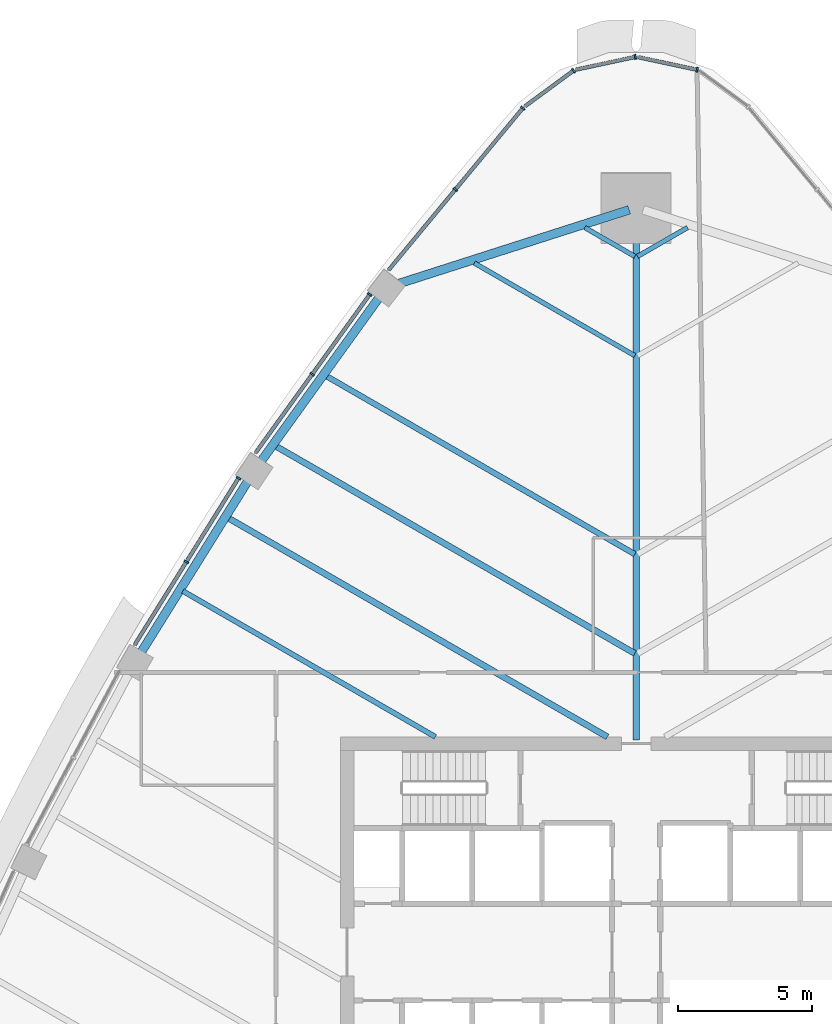
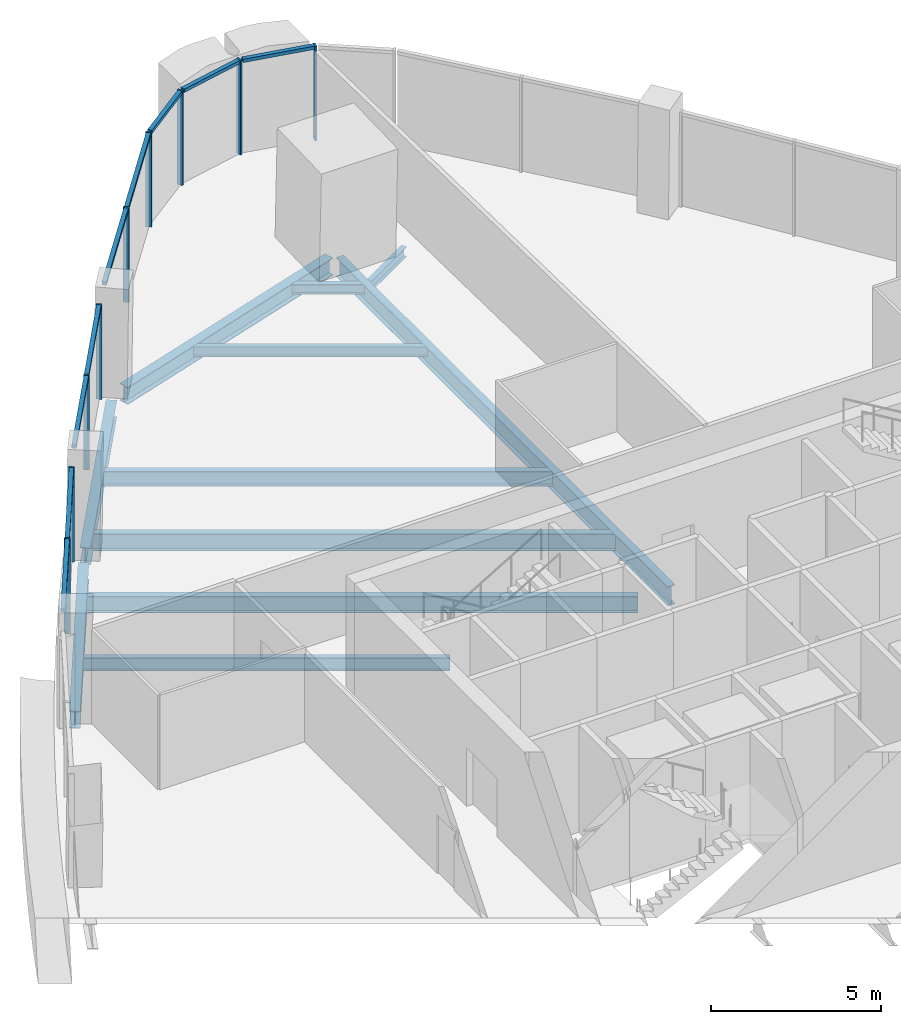
# One storey, part 6 of 16: 18 members, 11 beams, 6 elements without a shape of their own.
"""IFC4 building model written with IfcOpenShell, lengths in metres."""

from ifc_helpers import new_model, si_unit, direction, frame, origin, origin_2d, place, context, subcontext, project, spatial, rectangle, i_section, extrude, material, layer, layer_set, material_profile, profile_set, type_object, element, aggregate, save


model = new_model("IFC4")

# Units and contexts
model_context = context("Model", 3, precision=1e-05, world=origin(), true_north=direction((0.0, 1.0)))
body_context = subcontext(model_context, "Body", "Model", "MODEL_VIEW")
ifc_project = project(units=[si_unit("LENGTHUNIT", "METRE"), si_unit("AREAUNIT", "SQUARE_METRE"), si_unit("VOLUMEUNIT", "CUBIC_METRE"), si_unit("PLANEANGLEUNIT", "RADIAN"), si_unit("MASSUNIT", "GRAM", prefix="KILO")], contexts=[model_context])

# Site, building, storey
site_placement = place(None, origin())
site = spatial("IfcSite", under=ifc_project, at=site_placement, CompositionType="ELEMENT")
building_placement = place(site_placement, origin())
building = spatial("IfcBuilding", under=site, at=building_placement, Name="Sierra Prisma Convention Tower", CompositionType="ELEMENT")
storey_placement = place(building_placement, frame((0.0, 0.0, 165.800048828125)))
storey = spatial("IfcBuildingStorey", under=building, at=storey_placement, Name="L36", CompositionType="ELEMENT", Elevation=165.800048828125)

# Curtain wall, member
ifc_material_1 = material(Name="Aluminium and glass curtain wall", Category="aluminium")
ifc_layer = layer(ifc_material_1, 0.179931640625)
ifc_layer_set = layer_set([ifc_layer], Name="CW-1 Plain shaft curtain wall")
curtain_wall_type = type_object("IfcCurtainWallType", Name="CW-1 Plain shaft curtain wall", PredefinedType="NOTDEFINED", material=ifc_layer_set)
curtain_wall_1_placement = place(storey_placement, origin())
curtain_wall_1 = element("IfcCurtainWall", 1, at=curtain_wall_1_placement, inside=storey, type_object=curtain_wall_type, Name="CW-1 N2 L36", PredefinedType="NOTDEFINED")
ifc_material_2 = material(Name="Aluminium 6063-T6 bronze anodised", Category="aluminium")
ifc_material_profile_1 = material_profile(ifc_material_2, rectangle(XDim=0.179931640625, YDim=0.070068359375, at=origin_2d()), Name="ALU MULLION 70x180")
ifc_profile_set_1 = profile_set([ifc_material_profile_1], Name="Aluminium 6063-T6 bronze anodised")
member_type_1 = type_object("IfcMemberType", Name="CW mullion bronze", PredefinedType="MULLION", material=ifc_profile_set_1)
member_1_placement = place(storey_placement, frame((2.26513671875, 32.801513671875, 0.0), z_axis=(0.0, 0.0, 1.0), x_axis=(-0.209689722292, -0.977767978799, 0.0)))
member_1 = element("IfcMember", 2, at=member_1_placement, type_object=member_type_1, Name="CW-1 mullion N2.1", PredefinedType="MULLION", context=body_context, shape_type="SweptSolid", body=[
    extrude(rectangle(XDim=0.179931640625, YDim=0.070068359375, at=origin_2d()), origin(), (0.0, 0.0, 1.0), 3.39990234375),
])

curtain_wall_2_placement = place(storey_placement, origin())
curtain_wall_2 = element("IfcCurtainWall", 3, at=curtain_wall_2_placement, inside=storey, type_object=curtain_wall_type, Name="CW-1 N3 L36", PredefinedType="NOTDEFINED")
member_2_placement = place(storey_placement, frame((-0.0341796875, 33.27978515625, 0.0), z_axis=(0.0, 0.0, 1.0), x_axis=(0.209689722292, -0.977767978799, 0.0)))
member_2 = element("IfcMember", 4, at=member_2_placement, type_object=member_type_1, Name="CW-1 mullion N3.1", PredefinedType="MULLION", context=body_context, shape_type="SweptSolid", body=[
    extrude(rectangle(XDim=0.179931640625, YDim=0.070068359375, at=origin_2d()), origin(), (0.0, 0.0, 1.0), 3.39990234375),
])

curtain_wall_3_placement = place(storey_placement, origin())
curtain_wall_3 = element("IfcCurtainWall", 5, at=curtain_wall_3_placement, inside=storey, type_object=curtain_wall_type, Name="CW-1 N4 L36", PredefinedType="NOTDEFINED")
member_3_placement = place(storey_placement, frame((-2.327392578125, 32.7734375, 0.0), z_axis=(0.0, 0.0, 1.0), x_axis=(0.59218912334, -0.805799008561, 0.0)))
member_3 = element("IfcMember", 6, at=member_3_placement, type_object=member_type_1, Name="CW-1 mullion N4.1", PredefinedType="MULLION", context=body_context, shape_type="SweptSolid", body=[
    extrude(rectangle(XDim=0.179931640625, YDim=0.070068359375, at=origin_2d()), origin(), (0.0, 0.0, 1.0), 3.39990234375),
])

# Curtain wall, members
curtain_wall_4_placement = place(storey_placement, origin())
curtain_wall_4 = element("IfcCurtainWall", 7, at=curtain_wall_4_placement, inside=storey, type_object=curtain_wall_type, Name="CW-1 NW1 L36", PredefinedType="NOTDEFINED")
member_4_placement = place(storey_placement, frame((-4.21630859375, 31.37451171875, 0.0), z_axis=(0.0, 0.0, 1.0), x_axis=(0.769925871873, -0.63813333389, 0.0)))
member_4 = element("IfcMember", 8, at=member_4_placement, type_object=member_type_1, Name="CW-1 mullion NW1.1", PredefinedType="MULLION", context=body_context, shape_type="SweptSolid", body=[
    extrude(rectangle(XDim=0.179931640625, YDim=0.070068359375, at=origin_2d()), origin(), (0.0, 0.0, 1.0), 3.39990234375),
])
member_5_placement = place(storey_placement, frame((-6.7216796875, 28.35205078125, 0.0), z_axis=(0.0, 0.0, 1.0), x_axis=(0.769925871873, -0.63813333389, 0.0)))
member_5 = element("IfcMember", 9, at=member_5_placement, type_object=member_type_1, Name="CW-1 mullion NW1.2", PredefinedType="MULLION", context=body_context, shape_type="SweptSolid", body=[
    extrude(rectangle(XDim=0.179931640625, YDim=0.070068359375, at=origin_2d()), origin(), (0.0, 0.0, 1.0), 3.39990234375),
])

curtain_wall_5_placement = place(storey_placement, origin())
curtain_wall_5 = element("IfcCurtainWall", 10, at=curtain_wall_5_placement, inside=storey, type_object=curtain_wall_type, Name="CW-1 NW2 L36", PredefinedType="NOTDEFINED")
member_6_placement = place(storey_placement, frame((-9.9072265625, 24.447509765625, 0.0), z_axis=(0.0, 0.0, 1.0), x_axis=(0.811148953093, -0.584839615532, 0.0)))
member_6 = element("IfcMember", 11, at=member_6_placement, type_object=member_type_1, Name="CW-1 mullion NW2.1", PredefinedType="MULLION", context=body_context, shape_type="SweptSolid", body=[
    extrude(rectangle(XDim=0.179931640625, YDim=0.070068359375, at=origin_2d()), origin(), (0.0, 0.0, 1.0), 3.39990234375),
])
member_7_placement = place(storey_placement, frame((-12.043701171875, 21.48388671875, 0.0), z_axis=(0.0, 0.0, 1.0), x_axis=(0.811148953093, -0.584839615532, 0.0)))
member_7 = element("IfcMember", 12, at=member_7_placement, type_object=member_type_1, Name="CW-1 mullion NW2.2", PredefinedType="MULLION", context=body_context, shape_type="SweptSolid", body=[
    extrude(rectangle(XDim=0.179931640625, YDim=0.070068359375, at=origin_2d()), origin(), (0.0, 0.0, 1.0), 3.39990234375),
])

curtain_wall_6_placement = place(storey_placement, origin())
curtain_wall_6 = element("IfcCurtainWall", 13, at=curtain_wall_6_placement, inside=storey, type_object=curtain_wall_type, Name="CW-1 NW3 L36", PredefinedType="NOTDEFINED")
member_8_placement = place(storey_placement, frame((-14.782958984375, 17.621826171875, 0.0), z_axis=(0.0, 0.0, 1.0), x_axis=(0.848689772676, -0.528890980973, 0.0)))
member_8 = element("IfcMember", 14, at=member_8_placement, type_object=member_type_1, Name="CW-1 mullion NW3.1", PredefinedType="MULLION", context=body_context, shape_type="SweptSolid", body=[
    extrude(rectangle(XDim=0.179931640625, YDim=0.070068359375, at=origin_2d()), origin(), (0.0, 0.0, 1.0), 3.39990234375),
])
member_9_placement = place(storey_placement, frame((-16.7236328125, 14.507568359375, 0.0), z_axis=(0.0, 0.0, 1.0), x_axis=(0.848689772676, -0.528890980973, 0.0)))
member_9 = element("IfcMember", 15, at=member_9_placement, type_object=member_type_1, Name="CW-1 mullion NW3.2", PredefinedType="MULLION", context=body_context, shape_type="SweptSolid", body=[
    extrude(rectangle(XDim=0.179931640625, YDim=0.070068359375, at=origin_2d()), origin(), (0.0, 0.0, 1.0), 3.39990234375),
])

# Member
ifc_material_3 = material(Name="Aluminium 6063-T6 bronze anodised", Category="aluminium")
ifc_material_profile_2 = material_profile(ifc_material_3, rectangle(XDim=0.139892578125, YDim=0.1201171875, at=origin_2d()), Name="ALU TRANSOM 120x140")
ifc_profile_set_2 = profile_set([ifc_material_profile_2], Name="Aluminium 6063-T6 bronze anodised")
member_type_2 = type_object("IfcMemberType", Name="CW transom bronze", PredefinedType="USERDEFINED", material=ifc_profile_set_2)
member_10_placement = place(storey_placement, frame((2.230712890625, 32.808837890625, 3.33984375), z_axis=(-0.97777817425, 0.209642176008, 0.0), x_axis=(-0.209642176008, -0.97777817425, 0.0)))
member_10 = element("IfcMember", 16, at=member_10_placement, type_object=member_type_2, Name="CW-1 transom N2.1", ObjectType="TRANSOM", PredefinedType="USERDEFINED", context=body_context, shape_type="SweptSolid", body=[
    extrude(rectangle(XDim=0.139892578125, YDim=0.1201171875, at=origin_2d()), origin(), (0.0, 0.0, 1.0), 2.21142578125),
])

aggregate(curtain_wall_1, [member_1, member_10])

member_11_placement = place(storey_placement, frame((-0.068359375, 33.2724609375, 3.33984375), z_axis=(-0.97777817425, -0.209642176008, 0.0), x_axis=(0.209642176008, -0.97777817425, 0.0)))
member_11 = element("IfcMember", 17, at=member_11_placement, type_object=member_type_2, Name="CW-1 transom N3.1", ObjectType="TRANSOM", PredefinedType="USERDEFINED", context=body_context, shape_type="SweptSolid", body=[
    extrude(rectangle(XDim=0.139892578125, YDim=0.1201171875, at=origin_2d()), origin(), (0.0, 0.0, 1.0), 2.21142578125),
])

aggregate(curtain_wall_2, [member_2, member_11])

member_12_placement = place(storey_placement, frame((-2.355712890625, 32.752685546875, 3.33984375), z_axis=(-0.805751723696, -0.592253459053, 0.0), x_axis=(0.592253459053, -0.805751723696, 0.0)))
member_12 = element("IfcMember", 18, at=member_12_placement, type_object=member_type_2, Name="CW-1 transom N4.1", ObjectType="TRANSOM", PredefinedType="USERDEFINED", context=body_context, shape_type="SweptSolid", body=[
    extrude(rectangle(XDim=0.139892578125, YDim=0.1201171875, at=origin_2d()), origin(), (0.0, 0.0, 1.0), 2.211669921875),
])

aggregate(curtain_wall_3, [member_3, member_12])

member_13_placement = place(storey_placement, frame((-4.23876953125, 31.34765625, 3.33984375), z_axis=(-0.638114399099, -0.769941565096, 0.0), x_axis=(0.769941565096, -0.638114399099, 0.0)))
member_13 = element("IfcMember", 19, at=member_13_placement, type_object=member_type_2, Name="CW-1 transom NW1.1", ObjectType="TRANSOM", PredefinedType="USERDEFINED", context=body_context, shape_type="SweptSolid", body=[
    extrude(rectangle(XDim=0.139892578125, YDim=0.1201171875, at=origin_2d()), origin(), (0.0, 0.0, 1.0), 3.855712890625),
])

member_14_placement = place(storey_placement, frame((-6.743896484375, 28.3251953125, 3.33984375), z_axis=(-0.638114399099, -0.769941565096, 0.0), x_axis=(0.769941565096, -0.638114399099, 0.0)))
member_14 = element("IfcMember", 20, at=member_14_placement, type_object=member_type_2, Name="CW-1 transom NW1.2", ObjectType="TRANSOM", PredefinedType="USERDEFINED", context=body_context, shape_type="SweptSolid", body=[
    extrude(rectangle(XDim=0.139892578125, YDim=0.1201171875, at=origin_2d()), origin(), (0.0, 0.0, 1.0), 3.855712890625),
])

aggregate(curtain_wall_4, [member_4, member_5, member_13, member_14])

member_15_placement = place(storey_placement, frame((-9.927734375, 24.4189453125, 3.33984375), z_axis=(-0.584861003015, -0.811133532257, 0.0), x_axis=(0.811133532257, -0.584861003015, 0.0)))
member_15 = element("IfcMember", 21, at=member_15_placement, type_object=member_type_2, Name="CW-1 transom NW2.1", ObjectType="TRANSOM", PredefinedType="USERDEFINED", context=body_context, shape_type="SweptSolid", body=[
    extrude(rectangle(XDim=0.139892578125, YDim=0.1201171875, at=origin_2d()), origin(), (0.0, 0.0, 1.0), 3.583251953125),
])

member_16_placement = place(storey_placement, frame((-12.064208984375, 21.45556640625, 3.33984375), z_axis=(-0.584828681612, -0.811156836354, 0.0), x_axis=(0.811156836354, -0.584828681612, 0.0)))
member_16 = element("IfcMember", 22, at=member_16_placement, type_object=member_type_2, Name="CW-1 transom NW2.2", ObjectType="TRANSOM", PredefinedType="USERDEFINED", context=body_context, shape_type="SweptSolid", body=[
    extrude(rectangle(XDim=0.139892578125, YDim=0.1201171875, at=origin_2d()), origin(), (0.0, 0.0, 1.0), 3.58349609375),
])

aggregate(curtain_wall_5, [member_6, member_7, member_15, member_16])

member_17_placement = place(storey_placement, frame((-14.801513671875, 17.592041015625, 3.33984375), z_axis=(-0.528876600797, -0.848698734022, 0.0), x_axis=(0.848698734022, -0.528876600797, 0.0)))
member_17 = element("IfcMember", 23, at=member_17_placement, type_object=member_type_2, Name="CW-1 transom NW3.1", ObjectType="TRANSOM", PredefinedType="USERDEFINED", context=body_context, shape_type="SweptSolid", body=[
    extrude(rectangle(XDim=0.139892578125, YDim=0.1201171875, at=origin_2d()), origin(), (0.0, 0.0, 1.0), 3.599365234375),
])

member_18_placement = place(storey_placement, frame((-16.7421875, 14.477783203125, 3.33984375), z_axis=(-0.52892545597, -0.848668287393, 0.0), x_axis=(0.848668287393, -0.52892545597, 0.0)))
member_18 = element("IfcMember", 24, at=member_18_placement, type_object=member_type_2, Name="CW-1 transom NW3.2", ObjectType="TRANSOM", PredefinedType="USERDEFINED", context=body_context, shape_type="SweptSolid", body=[
    extrude(rectangle(XDim=0.139892578125, YDim=0.1201171875, at=origin_2d()), origin(), (0.0, 0.0, 1.0), 3.599365234375),
])

aggregate(curtain_wall_6, [member_8, member_9, member_17, member_18])

# Beams
ifc_material_4 = material(Name="Steel ASTM A992 Gr 50", Category="steel")
ifc_material_profile_3 = material_profile(ifc_material_4, i_section(OverallWidth=0.172119140625, OverallDepth=0.35791015625, WebThickness=0.0078125, FlangeThickness=0.01318359375, at=origin_2d()), Name="W360x57")
ifc_profile_set_3 = profile_set([ifc_material_profile_3], Name="Steel ASTM A992 Gr 50")
beam_type_1 = type_object("IfcBeamType", Name="Floor joist W360x57", PredefinedType="JOIST", material=ifc_profile_set_3)
for number, where, z_axis, x_axis, name in (
    (25, (1.908935546875, 26.936767578125, -0.3291015625), (-0.866035893414, -0.499981830989, 0.0), (0.499981830989, -0.866035893414, 0.0), "Floor joist L36 NE15"),
    (26, (-1.908935546875, 26.936767578125, -0.3291015625), (0.866035893414, -0.499981830989, 0.0), (0.499981830989, 0.866035893414, 0.0), "Floor joist L36 NW01"),
):
    element("IfcBeam", number, at=place(storey_placement, frame(where, z_axis=z_axis, x_axis=x_axis)), inside=storey, type_object=beam_type_1, Name=name, PredefinedType="JOIST", context=body_context, shape_type="SweptSolid", body=[
        extrude(i_section(OverallWidth=0.172119140625, OverallDepth=0.35791015625, WebThickness=0.0078125, FlangeThickness=0.01318359375, at=origin_2d()), origin(), (0.0, 0.0, 1.0), 2.1455078125),
    ])
beam_1_placement = place(storey_placement, frame((-6.02001953125, 25.61962890625, -0.3291015625), z_axis=(0.86602868724, -0.499994312846, 0.0), x_axis=(0.499994312846, 0.86602868724, 0.0)))
element("IfcBeam", 27, at=beam_1_placement, inside=storey, type_object=beam_type_1, Name="Floor joist L36 NW02", PredefinedType="JOIST", context=body_context, shape_type="SweptSolid", body=[
    extrude(i_section(OverallWidth=0.172119140625, OverallDepth=0.35791015625, WebThickness=0.0078125, FlangeThickness=0.01318359375, at=origin_2d()), origin(), (0.0, 0.0, 1.0), 6.892578125),
])
ifc_material_5 = material(Name="Steel ASTM A992 Gr 50", Category="steel")
ifc_material_profile_4 = material_profile(ifc_material_5, i_section(OverallWidth=0.18994140625, OverallDepth=0.45703125, WebThickness=0.009033203125, FlangeThickness=0.014404296875, at=origin_2d()), Name="W460x74")
ifc_profile_set_4 = profile_set([ifc_material_profile_4], Name="Steel ASTM A992 Gr 50")
beam_type_2 = type_object("IfcBeamType", Name="Floor joist W460x74", PredefinedType="JOIST", material=ifc_profile_set_4)
beam_2_placement = place(storey_placement, frame((-16.85546875, 13.422119140625, -0.378662109375), z_axis=(0.866030376948, -0.49999138613, 0.0), x_axis=(0.49999138613, 0.866030376948, 0.0)))
element("IfcBeam", 28, at=beam_2_placement, inside=storey, type_object=beam_type_2, Name="Floor joist L36 NW07", PredefinedType="JOIST", context=body_context, shape_type="SweptSolid", body=[
    extrude(i_section(OverallWidth=0.18994140625, OverallDepth=0.45703125, WebThickness=0.009033203125, FlangeThickness=0.014404296875, at=origin_2d()), origin(), (0.0, 0.0, 1.0), 10.844482421875),
])
ifc_material_6 = material(Name="Steel ASTM A992 Gr 50", Category="steel")
ifc_material_profile_5 = material_profile(ifc_material_6, i_section(OverallWidth=0.208984375, OverallDepth=0.532958984375, WebThickness=0.01025390625, FlangeThickness=0.015625, at=origin_2d()), Name="W530x92")
ifc_profile_set_5 = profile_set([ifc_material_profile_5], Name="Steel ASTM A992 Gr 50")
beam_type_3 = type_object("IfcBeamType", Name="Floor joist W530x92", PredefinedType="JOIST", material=ifc_profile_set_5)
beam_3_placement = place(storey_placement, frame((-11.52294921875, 21.41552734375, -0.41650390625), z_axis=(0.866022923061, -0.500004296715, 0.0), x_axis=(0.500004296715, 0.866022923061, 0.0)))
element("IfcBeam", 29, at=beam_3_placement, inside=storey, type_object=beam_type_3, Name="Floor joist L36 NW04", PredefinedType="JOIST", context=body_context, shape_type="SweptSolid", body=[
    extrude(i_section(OverallWidth=0.208984375, OverallDepth=0.532958984375, WebThickness=0.01025390625, FlangeThickness=0.015625, at=origin_2d()), origin(), (0.0, 0.0, 1.0), 13.2470703125),
])
ifc_material_7 = material(Name="Steel ASTM A992 Gr 50", Category="steel")
ifc_material_profile_6 = material_profile(ifc_material_7, i_section(OverallWidth=0.22802734375, OverallDepth=0.60302734375, WebThickness=0.010498046875, FlangeThickness=0.014892578125, at=origin_2d()), Name="W610x101")
ifc_profile_set_6 = profile_set([ifc_material_profile_6], Name="Steel ASTM A992 Gr 50")
beam_type_4 = type_object("IfcBeamType", Name="Floor joist W610x101", PredefinedType="JOIST", material=ifc_profile_set_6)
beam_4_placement = place(storey_placement, frame((-13.40185546875, 18.8095703125, -0.45166015625), z_axis=(0.866025244838, -0.500000275304, 0.0), x_axis=(0.500000275304, 0.866025244838, 0.0)))
element("IfcBeam", 30, at=beam_4_placement, inside=storey, type_object=beam_type_4, Name="Floor joist L36 NW05", PredefinedType="JOIST", context=body_context, shape_type="SweptSolid", body=[
    extrude(i_section(OverallWidth=0.22802734375, OverallDepth=0.60302734375, WebThickness=0.010498046875, FlangeThickness=0.014892578125, at=origin_2d()), origin(), (0.0, 0.0, 1.0), 15.41650390625),
])
beam_5_placement = place(storey_placement, frame((-15.1640625, 16.13623046875, -0.45166015625), z_axis=(0.866027934759, -0.499995616198, 0.0), x_axis=(0.499995616198, 0.866027934759, 0.0)))
element("IfcBeam", 31, at=beam_5_placement, inside=storey, type_object=beam_type_4, Name="Floor joist L36 NW06", PredefinedType="JOIST", context=body_context, shape_type="SweptSolid", body=[
    extrude(i_section(OverallWidth=0.22802734375, OverallDepth=0.60302734375, WebThickness=0.010498046875, FlangeThickness=0.014892578125, at=origin_2d()), origin(), (0.0, 0.0, 1.0), 16.272705078125),
])
ifc_material_8 = material(Name="Steel ASTM A992 Gr 50", Category="steel")
ifc_material_profile_7 = material_profile(ifc_material_8, i_section(OverallWidth=0.25390625, OverallDepth=0.68408203125, WebThickness=0.012451171875, FlangeThickness=0.018798828125, at=origin_2d()), Name="W690x140")
ifc_profile_set_7 = profile_set([ifc_material_profile_7], Name="Steel ASTM A992 Gr 50")
beam_type_5 = type_object("IfcBeamType", Name="Radial girder W690x140", PredefinedType="BEAM", material=ifc_profile_set_7)
beam_6_placement = place(storey_placement, frame((0.0, 27.419921875, -0.491943359375), z_axis=(0.0, -1.0, 0.0), x_axis=(1.0, 0.0, 0.0)))
element("IfcBeam", 32, at=beam_6_placement, inside=storey, type_object=beam_type_5, Name="Radial girder L36 N", PredefinedType="BEAM", context=body_context, shape_type="SweptSolid", body=[
    extrude(i_section(OverallWidth=0.25390625, OverallDepth=0.68408203125, WebThickness=0.012451171875, FlangeThickness=0.018798828125, at=origin_2d()), origin(), (0.0, 0.0, 1.0), 19.5400390625),
])
ifc_material_9 = material(Name="Steel ASTM A992 Gr 50", Category="steel")
ifc_material_profile_8 = material_profile(ifc_material_9, i_section(OverallWidth=0.324951171875, OverallDepth=0.615966796875, WebThickness=0.013916015625, FlangeThickness=0.021484375, at=origin_2d()), Name="W610x174")
ifc_profile_set_8 = profile_set([ifc_material_profile_8], Name="Steel ASTM A992 Gr 50")
beam_type_6 = type_object("IfcBeamType", Name="Spandrel beam W610x174", PredefinedType="BEAM", material=ifc_profile_set_8)
beam_7_placement = place(storey_placement, frame((-0.260009765625, 27.5966796875, -0.4580078125), z_axis=(-0.952327681543, -0.305077018092, 0.0), x_axis=(0.305077018092, -0.952327681543, 0.0)))
element("IfcBeam", 33, at=beam_7_placement, inside=storey, type_object=beam_type_6, Name="Spandrel L36-13", PredefinedType="BEAM", context=body_context, shape_type="SweptSolid", body=[
    extrude(i_section(OverallWidth=0.324951171875, OverallDepth=0.615966796875, WebThickness=0.013916015625, FlangeThickness=0.021484375, at=origin_2d()), origin(), (0.0, 0.0, 1.0), 8.99658203125),
])
beam_8_placement = place(storey_placement, frame((-9.513671875, 24.39501953125, -0.4580078125), z_axis=(-0.584830925209, -0.811155218758, 0.0), x_axis=(0.811155218758, -0.584830925209, 0.0)))
element("IfcBeam", 34, at=beam_8_placement, inside=storey, type_object=beam_type_6, Name="Spandrel L36-14", PredefinedType="BEAM", context=body_context, shape_type="SweptSolid", body=[
    extrude(i_section(OverallWidth=0.324951171875, OverallDepth=0.615966796875, WebThickness=0.013916015625, FlangeThickness=0.021484375, at=origin_2d()), origin(), (0.0, 0.0, 1.0), 7.637451171875),
])
beam_9_placement = place(storey_placement, frame((-14.40380859375, 17.56884765625, -0.4580078125), z_axis=(-0.528892219051, -0.848689001123, 0.0), x_axis=(0.848689001123, -0.528892219051, 0.0)))
element("IfcBeam", 35, at=beam_9_placement, inside=storey, type_object=beam_type_6, Name="Spandrel L36-15", PredefinedType="BEAM", context=body_context, shape_type="SweptSolid", body=[
    extrude(i_section(OverallWidth=0.324951171875, OverallDepth=0.615966796875, WebThickness=0.013916015625, FlangeThickness=0.021484375, at=origin_2d()), origin(), (0.0, 0.0, 1.0), 7.63720703125),
])

save(model, "model.ifc")
